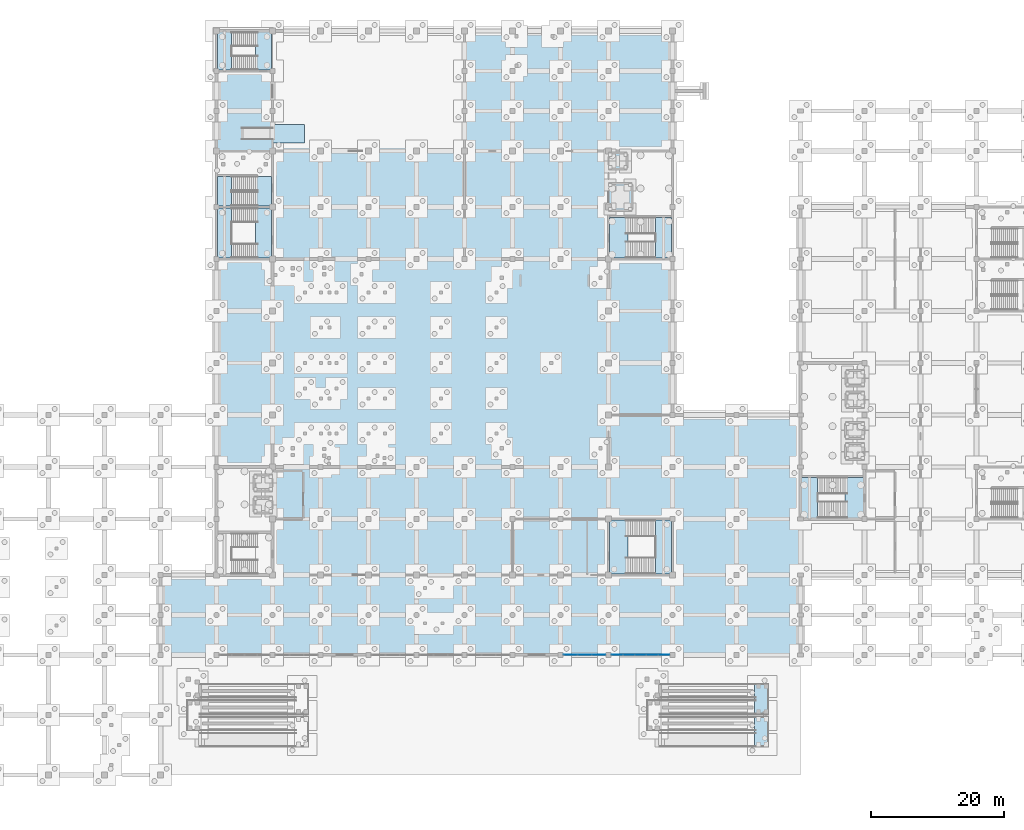
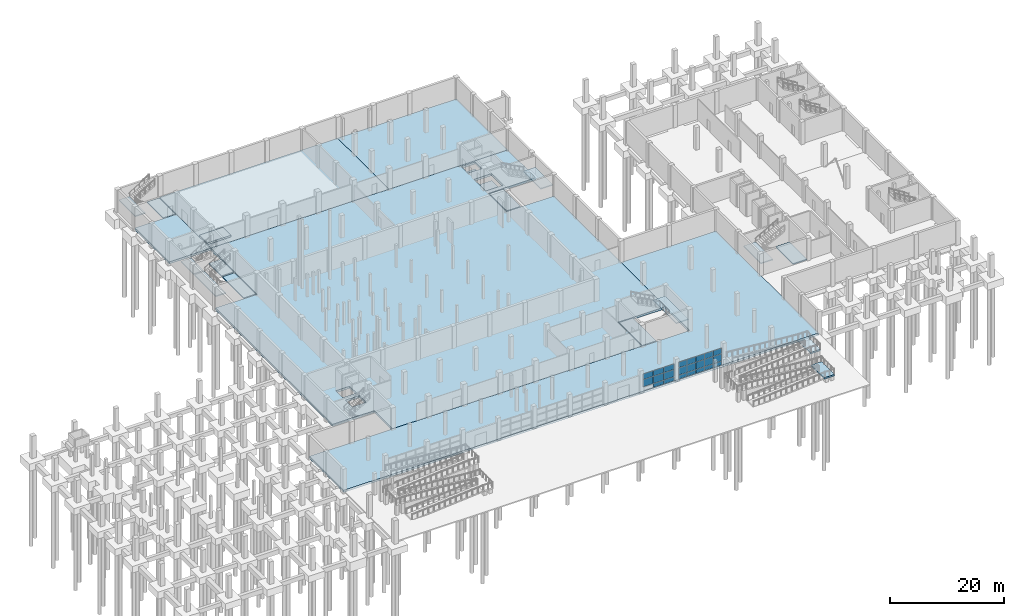
# One storey, part 27 of 42: 23 plates, 22 slabs, 9 elements without a shape of their own.
"""IFC4 building model written with IfcOpenShell, lengths in metres."""

from ifc_helpers import new_model, si_unit, direction, frame, origin, place, context, subcontext, project, spatial, polyline, outline, extrude, material, layer, layer_set, type_object, element, aggregate, save


model = new_model("IFC4")

# Units and contexts
model_context = context("Model", 3, precision=1e-05, world=origin(), true_north=direction((0.0, 1.0)))
body_context = subcontext(model_context, "Body", "Model", "MODEL_VIEW")
ifc_project = project(units=[si_unit("LENGTHUNIT", "METRE"), si_unit("AREAUNIT", "SQUARE_METRE"), si_unit("VOLUMEUNIT", "CUBIC_METRE"), si_unit("PLANEANGLEUNIT", "RADIAN"), si_unit("MASSUNIT", "GRAM", prefix="KILO")], contexts=[model_context])

# Site, building, storey
site_placement = place(None, origin())
site = spatial("IfcSite", under=ifc_project, at=site_placement, CompositionType="ELEMENT")
building_placement = place(site_placement, origin())
building = spatial("IfcBuilding", under=site, at=building_placement, Name="Pellamere Symphony Hall", CompositionType="ELEMENT")
storey_placement = place(building_placement, frame((0.0, 0.0, -4.800048828125)))
storey = spatial("IfcBuildingStorey", under=building, at=storey_placement, Name="B1", CompositionType="ELEMENT", Elevation=-4.800048828125)

# Curtain wall, plates
ifc_material_1 = material(Name="Thermally Broken Anodised Aluminium 6063-T6 Curtain Wall", Category="aluminium")
curtain_wall_type = type_object("IfcCurtainWallType", Name="Curtain Wall CW-02 (Winter-Garden South Concourse Curtain Wall)", PredefinedType="NOTDEFINED", material=ifc_material_1)
curtain_wall_1_placement = place(storey_placement, origin())
curtain_wall_1 = element("IfcCurtainWall", 1, at=curtain_wall_1_placement, inside=storey, type_object=curtain_wall_type, Name="Winter-Garden South Curtain Wall (B1 Bay 8)", PredefinedType="NOTDEFINED")
ifc_material_2 = material(Name="Triple Low-E Argon Acoustic Glazing 36mm", Category="glass")
ifc_layer_1 = layer(ifc_material_2, 0.035888671875, Name="Triple Low-E Argon Acoustic Glazing 36mm")
ifc_layer_set_1 = layer_set([ifc_layer_1], Name="Triple Low-E Argon Acoustic Glazing 36mm")
plate_type_1 = type_object("IfcPlateType", Name="Facade Panel GL-01 36mm", PredefinedType="CURTAIN_PANEL", material=ifc_layer_set_1)
plate_1_placement = place(storey_placement, frame((102.465087890625, 18.0, 0.927734375), z_axis=(0.0, -1.0, 0.0), x_axis=(1.0, 0.0, 0.0)))
plate_1 = element("IfcPlate", 2, at=plate_1_placement, type_object=plate_type_1, Name="CW2-062 crystal glass panel 1.2", PredefinedType="CURTAIN_PANEL", context=body_context, shape_type="SweptSolid", body=[
    extrude(outline(polyline([(0.0, 0.0), (2.03564453125, 0.0), (2.03564453125, 1.501708984375), (0.0, 1.501708984375), (0.0, 0.0)])), origin(), (0.0, 0.0, -1.0), 0.035888671875),
])
plate_2_placement = place(storey_placement, frame((102.465087890625, 18.0, 2.494384765625), z_axis=(0.0, -1.0, 0.0), x_axis=(1.0, 0.0, 0.0)))
plate_2 = element("IfcPlate", 3, at=plate_2_placement, type_object=plate_type_1, Name="CW2-062 crystal glass panel 1.3", PredefinedType="CURTAIN_PANEL", context=body_context, shape_type="SweptSolid", body=[
    extrude(outline(polyline([(0.0, 0.0), (2.03564453125, 0.0), (2.03564453125, 1.170654296875), (0.0, 1.170654296875), (0.0, 0.0)])), origin(), (0.0, 0.0, -1.0), 0.035888671875),
])
plate_3_placement = place(storey_placement, frame((104.56591796875, 18.0, 0.06494140625), z_axis=(0.0, -1.0, 0.0), x_axis=(1.0, 0.0, 0.0)))
plate_3 = element("IfcPlate", 4, at=plate_3_placement, type_object=plate_type_1, Name="CW2-062 crystal glass panel 2.1", PredefinedType="CURTAIN_PANEL", context=body_context, shape_type="SweptSolid", body=[
    extrude(outline(polyline([(0.0, 0.0), (2.068359375, 0.0), (2.068359375, 0.7978515625), (0.0, 0.7978515625), (0.0, 0.0)])), origin(), (0.0, 0.0, -1.0), 0.035888671875),
])
plate_4_placement = place(storey_placement, frame((104.56591796875, 18.0, 0.927734375), z_axis=(0.0, -1.0, 0.0), x_axis=(1.0, 0.0, 0.0)))
plate_4 = element("IfcPlate", 5, at=plate_4_placement, type_object=plate_type_1, Name="CW2-062 crystal glass panel 2.2", PredefinedType="CURTAIN_PANEL", context=body_context, shape_type="SweptSolid", body=[
    extrude(outline(polyline([(0.0, 0.0), (2.068359375, 0.0), (2.068359375, 1.501708984375), (0.0, 1.501708984375), (0.0, 0.0)])), origin(), (0.0, 0.0, -1.0), 0.035888671875),
])
plate_5_placement = place(storey_placement, frame((104.56591796875, 18.0, 2.494384765625), z_axis=(0.0, -1.0, 0.0), x_axis=(1.0, 0.0, 0.0)))
plate_5 = element("IfcPlate", 6, at=plate_5_placement, type_object=plate_type_1, Name="CW2-062 crystal glass panel 2.3", PredefinedType="CURTAIN_PANEL", context=body_context, shape_type="SweptSolid", body=[
    extrude(outline(polyline([(0.0, 0.0), (2.068359375, 0.0), (2.068359375, 1.170654296875), (0.0, 1.170654296875), (0.0, 0.0)])), origin(), (0.0, 0.0, -1.0), 0.035888671875),
])
plate_6_placement = place(storey_placement, frame((106.69921875, 18.0, 0.06494140625), z_axis=(0.0, -1.0, 0.0), x_axis=(1.0, 0.0, 0.0)))
plate_6 = element("IfcPlate", 7, at=plate_6_placement, type_object=plate_type_1, Name="CW2-062 crystal glass panel 3.1", PredefinedType="CURTAIN_PANEL", context=body_context, shape_type="SweptSolid", body=[
    extrude(outline(polyline([(0.0, 0.0), (2.035888671875, 0.0), (2.035888671875, 0.7978515625), (0.0, 0.7978515625), (0.0, 0.0)])), origin(), (0.0, 0.0, -1.0), 0.035888671875),
])
plate_7_placement = place(storey_placement, frame((106.69921875, 18.0, 0.927734375), z_axis=(0.0, -1.0, 0.0), x_axis=(1.0, 0.0, 0.0)))
plate_7 = element("IfcPlate", 8, at=plate_7_placement, type_object=plate_type_1, Name="CW2-062 crystal glass panel 3.2", PredefinedType="CURTAIN_PANEL", context=body_context, shape_type="SweptSolid", body=[
    extrude(outline(polyline([(0.0, 0.0), (2.035888671875, 0.0), (2.035888671875, 1.501708984375), (0.0, 1.501708984375), (0.0, 0.0)])), origin(), (0.0, 0.0, -1.0), 0.035888671875),
])
plate_8_placement = place(storey_placement, frame((106.69921875, 18.0, 2.494384765625), z_axis=(0.0, -1.0, 0.0), x_axis=(1.0, 0.0, 0.0)))
plate_8 = element("IfcPlate", 9, at=plate_8_placement, type_object=plate_type_1, Name="CW2-062 crystal glass panel 3.3", PredefinedType="CURTAIN_PANEL", context=body_context, shape_type="SweptSolid", body=[
    extrude(outline(polyline([(0.0, 0.0), (2.035888671875, 0.0), (2.035888671875, 1.170654296875), (0.0, 1.170654296875), (0.0, 0.0)])), origin(), (0.0, 0.0, -1.0), 0.035888671875),
])
aggregate(curtain_wall_1, [plate_1, plate_2, plate_3, plate_4, plate_5, plate_6, plate_7, plate_8])

curtain_wall_2_placement = place(storey_placement, origin())
curtain_wall_2 = element("IfcCurtainWall", 10, at=curtain_wall_2_placement, inside=storey, type_object=curtain_wall_type, Name="Winter-Garden South Curtain Wall (B1 Bay 9)", PredefinedType="NOTDEFINED")
ifc_material_3 = material(Name="Mineral-Wool Insulated Dark Zinc Spandrel Panel", Category="aluminium")
ifc_layer_2 = layer(ifc_material_3, 0.054931640625, Name="Mineral-Wool Insulated Dark Zinc Spandrel Panel")
ifc_layer_set_2 = layer_set([ifc_layer_2], Name="Mineral-Wool Insulated Dark Zinc Spandrel Panel")
plate_type_2 = type_object("IfcPlateType", Name="Facade Panel SP-02 55mm", PredefinedType="CURTAIN_PANEL", material=ifc_layer_set_2)
plate_9_placement = place(storey_placement, frame((109.6650390625, 18.0, 0.06494140625), z_axis=(0.0, -1.0, 0.0), x_axis=(1.0, 0.0, 0.0)))
plate_9 = element("IfcPlate", 11, at=plate_9_placement, type_object=plate_type_2, Name="CW2-063 crystal glass panel 1.1", PredefinedType="CURTAIN_PANEL", context=body_context, shape_type="SweptSolid", body=[
    extrude(outline(polyline([(0.0, 0.0), (1.662353515625, 0.0), (1.662353515625, 0.7978515625), (0.0, 0.7978515625), (0.0, 0.0)])), origin(), (0.0, 0.0, -1.0), 0.054931640625),
])
plate_10_placement = place(storey_placement, frame((109.6650390625, 18.0, 0.927734375), z_axis=(0.0, -1.0, 0.0), x_axis=(1.0, 0.0, 0.0)))
plate_10 = element("IfcPlate", 12, at=plate_10_placement, type_object=plate_type_2, Name="CW2-063 crystal glass panel 1.2", PredefinedType="CURTAIN_PANEL", context=body_context, shape_type="SweptSolid", body=[
    extrude(outline(polyline([(0.0, 0.0), (1.662353515625, 0.0), (1.662353515625, 1.501708984375), (0.0, 1.501708984375), (0.0, 0.0)])), origin(), (0.0, 0.0, -1.0), 0.054931640625),
])
plate_11_placement = place(storey_placement, frame((109.6650390625, 18.0, 2.494384765625), z_axis=(0.0, -1.0, 0.0), x_axis=(1.0, 0.0, 0.0)))
plate_11 = element("IfcPlate", 13, at=plate_11_placement, type_object=plate_type_2, Name="CW2-063 crystal glass panel 1.3", PredefinedType="CURTAIN_PANEL", context=body_context, shape_type="SweptSolid", body=[
    extrude(outline(polyline([(0.0, 0.0), (1.662353515625, 0.0), (1.662353515625, 1.170654296875), (0.0, 1.170654296875), (0.0, 0.0)])), origin(), (0.0, 0.0, -1.0), 0.054931640625),
])
plate_12_placement = place(storey_placement, frame((111.392578125, 18.0, 0.06494140625), z_axis=(0.0, -1.0, 0.0), x_axis=(1.0, 0.0, 0.0)))
plate_12 = element("IfcPlate", 14, at=plate_12_placement, type_object=plate_type_2, Name="CW2-063 crystal glass panel 2.1", PredefinedType="CURTAIN_PANEL", context=body_context, shape_type="SweptSolid", body=[
    extrude(outline(polyline([(0.0, 0.0), (1.69482421875, 0.0), (1.69482421875, 0.7978515625), (0.0, 0.7978515625), (0.0, 0.0)])), origin(), (0.0, 0.0, -1.0), 0.054931640625),
])
plate_13_placement = place(storey_placement, frame((111.392578125, 18.0, 0.927734375), z_axis=(0.0, -1.0, 0.0), x_axis=(1.0, 0.0, 0.0)))
plate_13 = element("IfcPlate", 15, at=plate_13_placement, type_object=plate_type_2, Name="CW2-063 crystal glass panel 2.2", PredefinedType="CURTAIN_PANEL", context=body_context, shape_type="SweptSolid", body=[
    extrude(outline(polyline([(0.0, 0.0), (1.69482421875, 0.0), (1.69482421875, 1.501708984375), (0.0, 1.501708984375), (0.0, 0.0)])), origin(), (0.0, 0.0, -1.0), 0.054931640625),
])
plate_14_placement = place(storey_placement, frame((111.392578125, 18.0, 2.494384765625), z_axis=(0.0, -1.0, 0.0), x_axis=(1.0, 0.0, 0.0)))
plate_14 = element("IfcPlate", 16, at=plate_14_placement, type_object=plate_type_2, Name="CW2-063 crystal glass panel 2.3", PredefinedType="CURTAIN_PANEL", context=body_context, shape_type="SweptSolid", body=[
    extrude(outline(polyline([(0.0, 0.0), (1.69482421875, 0.0), (1.69482421875, 1.170654296875), (0.0, 1.170654296875), (0.0, 0.0)])), origin(), (0.0, 0.0, -1.0), 0.054931640625),
])
plate_15_placement = place(storey_placement, frame((113.152587890625, 18.0, 0.06494140625), z_axis=(0.0, -1.0, 0.0), x_axis=(1.0, 0.0, 0.0)))
plate_15 = element("IfcPlate", 17, at=plate_15_placement, type_object=plate_type_2, Name="CW2-063 crystal glass panel 3.1", PredefinedType="CURTAIN_PANEL", context=body_context, shape_type="SweptSolid", body=[
    extrude(outline(polyline([(0.0, 0.0), (1.69482421875, 0.0), (1.69482421875, 0.7978515625), (0.0, 0.7978515625), (0.0, 0.0)])), origin(), (0.0, 0.0, -1.0), 0.054931640625),
])
plate_16_placement = place(storey_placement, frame((113.152587890625, 18.0, 0.927734375), z_axis=(0.0, -1.0, 0.0), x_axis=(1.0, 0.0, 0.0)))
plate_16 = element("IfcPlate", 18, at=plate_16_placement, type_object=plate_type_2, Name="CW2-063 crystal glass panel 3.2", PredefinedType="CURTAIN_PANEL", context=body_context, shape_type="SweptSolid", body=[
    extrude(outline(polyline([(0.0, 0.0), (1.69482421875, 0.0), (1.69482421875, 1.501708984375), (0.0, 1.501708984375), (0.0, 0.0)])), origin(), (0.0, 0.0, -1.0), 0.054931640625),
])
plate_17_placement = place(storey_placement, frame((113.152587890625, 18.0, 2.494384765625), z_axis=(0.0, -1.0, 0.0), x_axis=(1.0, 0.0, 0.0)))
plate_17 = element("IfcPlate", 19, at=plate_17_placement, type_object=plate_type_2, Name="CW2-063 crystal glass panel 3.3", PredefinedType="CURTAIN_PANEL", context=body_context, shape_type="SweptSolid", body=[
    extrude(outline(polyline([(0.0, 0.0), (1.69482421875, 0.0), (1.69482421875, 1.170654296875), (0.0, 1.170654296875), (0.0, 0.0)])), origin(), (0.0, 0.0, -1.0), 0.054931640625),
])
plate_18_placement = place(storey_placement, frame((114.91259765625, 18.0, 0.06494140625), z_axis=(0.0, -1.0, 0.0), x_axis=(1.0, 0.0, 0.0)))
plate_18 = element("IfcPlate", 20, at=plate_18_placement, type_object=plate_type_2, Name="CW2-063 crystal glass panel 4.1", PredefinedType="CURTAIN_PANEL", context=body_context, shape_type="SweptSolid", body=[
    extrude(outline(polyline([(0.0, 0.0), (1.69482421875, 0.0), (1.69482421875, 0.7978515625), (0.0, 0.7978515625), (0.0, 0.0)])), origin(), (0.0, 0.0, -1.0), 0.054931640625),
])
plate_19_placement = place(storey_placement, frame((114.91259765625, 18.0, 0.927734375), z_axis=(0.0, -1.0, 0.0), x_axis=(1.0, 0.0, 0.0)))
plate_19 = element("IfcPlate", 21, at=plate_19_placement, type_object=plate_type_2, Name="CW2-063 crystal glass panel 4.2", PredefinedType="CURTAIN_PANEL", context=body_context, shape_type="SweptSolid", body=[
    extrude(outline(polyline([(0.0, 0.0), (1.69482421875, 0.0), (1.69482421875, 1.501708984375), (0.0, 1.501708984375), (0.0, 0.0)])), origin(), (0.0, 0.0, -1.0), 0.054931640625),
])
plate_20_placement = place(storey_placement, frame((114.91259765625, 18.0, 2.494384765625), z_axis=(0.0, -1.0, 0.0), x_axis=(1.0, 0.0, 0.0)))
plate_20 = element("IfcPlate", 22, at=plate_20_placement, type_object=plate_type_2, Name="CW2-063 crystal glass panel 4.3", PredefinedType="CURTAIN_PANEL", context=body_context, shape_type="SweptSolid", body=[
    extrude(outline(polyline([(0.0, 0.0), (1.69482421875, 0.0), (1.69482421875, 1.170654296875), (0.0, 1.170654296875), (0.0, 0.0)])), origin(), (0.0, 0.0, -1.0), 0.054931640625),
])
plate_21_placement = place(storey_placement, frame((116.672607421875, 18.0, 0.06494140625), z_axis=(0.0, -1.0, 0.0), x_axis=(1.0, 0.0, 0.0)))
plate_21 = element("IfcPlate", 23, at=plate_21_placement, type_object=plate_type_2, Name="CW2-063 crystal glass panel 5.1", PredefinedType="CURTAIN_PANEL", context=body_context, shape_type="SweptSolid", body=[
    extrude(outline(polyline([(0.0, 0.0), (1.662353515625, 0.0), (1.662353515625, 0.7978515625), (0.0, 0.7978515625), (0.0, 0.0)])), origin(), (0.0, 0.0, -1.0), 0.054931640625),
])
plate_22_placement = place(storey_placement, frame((116.672607421875, 18.0, 0.927734375), z_axis=(0.0, -1.0, 0.0), x_axis=(1.0, 0.0, 0.0)))
plate_22 = element("IfcPlate", 24, at=plate_22_placement, type_object=plate_type_2, Name="CW2-063 crystal glass panel 5.2", PredefinedType="CURTAIN_PANEL", context=body_context, shape_type="SweptSolid", body=[
    extrude(outline(polyline([(0.0, 0.0), (1.662353515625, 0.0), (1.662353515625, 1.501708984375), (0.0, 1.501708984375), (0.0, 0.0)])), origin(), (0.0, 0.0, -1.0), 0.054931640625),
])
plate_23_placement = place(storey_placement, frame((116.672607421875, 18.0, 2.494384765625), z_axis=(0.0, -1.0, 0.0), x_axis=(1.0, 0.0, 0.0)))
plate_23 = element("IfcPlate", 25, at=plate_23_placement, type_object=plate_type_2, Name="CW2-063 crystal glass panel 5.3", PredefinedType="CURTAIN_PANEL", context=body_context, shape_type="SweptSolid", body=[
    extrude(outline(polyline([(0.0, 0.0), (1.662353515625, 0.0), (1.662353515625, 1.170654296875), (0.0, 1.170654296875), (0.0, 0.0)])), origin(), (0.0, 0.0, -1.0), 0.054931640625),
])
aggregate(curtain_wall_2, [plate_9, plate_10, plate_11, plate_12, plate_13, plate_14, plate_15, plate_16, plate_17, plate_18, plate_19, plate_20, plate_21, plate_22, plate_23])

# Stair, slabs
ifc_material_4 = material(Name="Concrete 40 MPa", Category="concrete")
stair_type_1 = type_object("IfcStairType", Name="Stair ST-A W2400", PredefinedType="HALF_TURN_STAIR", material=ifc_material_4)
stair_1_placement = place(storey_placement, origin())
stair_1 = element("IfcStair", 26, at=stair_1_placement, inside=storey, type_object=stair_type_1, Name="Exit Stair ST02-B1 (B1 to L00)", PredefinedType="HALF_TURN_STAIR")
ifc_layer_3 = layer(ifc_material_4, 0.219970703125, Name="Concrete 40 MPa")
ifc_layer_set_3 = layer_set([ifc_layer_3], Name="Concrete 40 MPa")
slab_type_1 = type_object("IfcSlabType", Name="Stair Landing SL-01 220mm", PredefinedType="LANDING", material=ifc_layer_set_3)
slab_1_placement = place(storey_placement, frame((0.0, 0.0, -0.219970703125)))
slab_1 = element("IfcSlab", 27, at=slab_1_placement, type_object=slab_type_1, Name="Stair ST02-B1 Bottom Landing (B1)", PredefinedType="LANDING", context=body_context, shape_type="SweptSolid", body=[
    extrude(outline(polyline([(144.675048828125, 38.56005859375), (147.43994140625, 38.56005859375), (147.43994140625, 44.639892578125), (144.675048828125, 44.639892578125), (144.675048828125, 38.56005859375)])), origin(), (0.0, 0.0, 1.0), 0.219970703125),
])
slab_2_placement = place(storey_placement, frame((0.0, 0.0, 2.179931640625)))
slab_2 = element("IfcSlab", 28, at=slab_2_placement, type_object=slab_type_1, Name="Stair ST02-B1 Half Landing (B1)", PredefinedType="LANDING", context=body_context, shape_type="SweptSolid", body=[
    extrude(outline(polyline([(138.159912109375, 38.56005859375), (140.574951171875, 38.56005859375), (140.574951171875, 44.639892578125), (138.159912109375, 44.639892578125), (138.159912109375, 38.56005859375)])), origin(), (0.0, 0.0, 1.0), 0.22021484375),
])
aggregate(stair_1, [slab_1, slab_2])

stair_2_placement = place(storey_placement, origin())
stair_2 = element("IfcStair", 29, at=stair_2_placement, inside=storey, type_object=stair_type_1, Name="Exit Stair ST04-B1 (B1 to L00)", PredefinedType="HALF_TURN_STAIR")
slab_3_placement = place(storey_placement, frame((0.0, 0.0, -0.219970703125)))
slab_3 = element("IfcSlab", 30, at=slab_3_placement, type_object=slab_type_1, Name="Stair ST04-B1 Bottom Landing (B1)", PredefinedType="LANDING", context=body_context, shape_type="SweptSolid", body=[
    extrude(outline(polyline([(109.360107421875, 77.56005859375), (112.125, 77.56005859375), (112.125, 83.639892578125), (109.360107421875, 83.639892578125), (109.360107421875, 77.56005859375)])), origin(), (0.0, 0.0, 1.0), 0.219970703125),
])
slab_4_placement = place(storey_placement, frame((0.0, 0.0, 2.179931640625)))
slab_4 = element("IfcSlab", 31, at=slab_4_placement, type_object=slab_type_1, Name="Stair ST04-B1 Half Landing (B1)", PredefinedType="LANDING", context=body_context, shape_type="SweptSolid", body=[
    extrude(outline(polyline([(116.22509765625, 77.56005859375), (118.639892578125, 77.56005859375), (118.639892578125, 83.639892578125), (116.22509765625, 83.639892578125), (116.22509765625, 77.56005859375)])), origin(), (0.0, 0.0, 1.0), 0.22021484375),
])
aggregate(stair_2, [slab_3, slab_4])

stair_type_2 = type_object("IfcStairType", Name="Stair ST-B W2050", PredefinedType="HALF_TURN_STAIR", material=ifc_material_4)
stair_3_placement = place(storey_placement, origin())
stair_3 = element("IfcStair", 32, at=stair_3_placement, inside=storey, type_object=stair_type_2, Name="Exit Stair ST07-B1 (B1 to L00)", PredefinedType="HALF_TURN_STAIR")
slab_5_placement = place(storey_placement, frame((0.0, 0.0, -0.219970703125)))
slab_5 = element("IfcSlab", 33, at=slab_5_placement, type_object=slab_type_1, Name="Stair ST07-B1 Bottom Landing (B1)", PredefinedType="LANDING", context=body_context, shape_type="SweptSolid", body=[
    extrude(outline(polyline([(56.22509765625, 77.56005859375), (58.639892578125, 77.56005859375), (58.639892578125, 85.0400390625), (56.22509765625, 85.0400390625), (56.22509765625, 77.56005859375)])), origin(), (0.0, 0.0, 1.0), 0.219970703125),
])
slab_6_placement = place(storey_placement, frame((0.0, 0.0, 2.179931640625)))
slab_6 = element("IfcSlab", 34, at=slab_6_placement, type_object=slab_type_1, Name="Stair ST07-B1 Half Landing (B1)", PredefinedType="LANDING", context=body_context, shape_type="SweptSolid", body=[
    extrude(outline(polyline([(50.56005859375, 77.56005859375), (52.625, 77.56005859375), (52.625, 85.0400390625), (50.56005859375, 85.0400390625), (50.56005859375, 77.56005859375)])), origin(), (0.0, 0.0, 1.0), 0.22021484375),
])
aggregate(stair_3, [slab_5, slab_6])

stair_4_placement = place(storey_placement, origin())
stair_4 = element("IfcStair", 35, at=stair_4_placement, inside=storey, type_object=stair_type_1, Name="Exit Stair ST08-B1 (B1 to L00)", PredefinedType="HALF_TURN_STAIR")
slab_7_placement = place(storey_placement, frame((0.0, 0.0, -0.219970703125)))
slab_7 = element("IfcSlab", 36, at=slab_7_placement, type_object=slab_type_1, Name="Stair ST08-B1 Bottom Landing (B1)", PredefinedType="LANDING", context=body_context, shape_type="SweptSolid", body=[
    extrude(outline(polyline([(109.360107421875, 30.159912109375), (112.125, 30.159912109375), (112.125, 38.239990234375), (109.360107421875, 38.239990234375), (109.360107421875, 30.159912109375)])), origin(), (0.0, 0.0, 1.0), 0.219970703125),
])
slab_8_placement = place(storey_placement, frame((0.0, 0.0, 2.179931640625)))
slab_8 = element("IfcSlab", 37, at=slab_8_placement, type_object=slab_type_1, Name="Stair ST08-B1 Half Landing (B1)", PredefinedType="LANDING", context=body_context, shape_type="SweptSolid", body=[
    extrude(outline(polyline([(116.22509765625, 30.159912109375), (118.639892578125, 30.159912109375), (118.639892578125, 38.239990234375), (116.22509765625, 38.239990234375), (116.22509765625, 30.159912109375)])), origin(), (0.0, 0.0, 1.0), 0.22021484375),
])
aggregate(stair_4, [slab_7, slab_8])

stair_5_placement = place(storey_placement, origin())
stair_5 = element("IfcStair", 38, at=stair_5_placement, inside=storey, type_object=stair_type_2, Name="Exit Stair ST10-B1 (B1 to L00)", PredefinedType="HALF_TURN_STAIR")
slab_9_placement = place(storey_placement, frame((0.0, 0.0, -0.219970703125)))
slab_9 = element("IfcSlab", 39, at=slab_9_placement, type_object=slab_type_1, Name="Stair ST10-B1 Bottom Landing (B1)", PredefinedType="LANDING", context=body_context, shape_type="SweptSolid", body=[
    extrude(outline(polyline([(56.22509765625, 105.760009765625), (58.639892578125, 105.760009765625), (58.639892578125, 111.43994140625), (56.22509765625, 111.43994140625), (56.22509765625, 105.760009765625)])), origin(), (0.0, 0.0, 1.0), 0.219970703125),
])
slab_10_placement = place(storey_placement, frame((0.0, 0.0, 2.179931640625)))
slab_10 = element("IfcSlab", 40, at=slab_10_placement, type_object=slab_type_1, Name="Stair ST10-B1 Half Landing (B1)", PredefinedType="LANDING", context=body_context, shape_type="SweptSolid", body=[
    extrude(outline(polyline([(50.56005859375, 105.760009765625), (52.625, 105.760009765625), (52.625, 111.43994140625), (50.56005859375, 111.43994140625), (50.56005859375, 105.760009765625)])), origin(), (0.0, 0.0, 1.0), 0.22021484375),
])
aggregate(stair_5, [slab_9, slab_10])

stair_6_placement = place(storey_placement, origin())
stair_6 = element("IfcStair", 41, at=stair_6_placement, inside=storey, type_object=stair_type_2, Name="Exit Stair ST13-B1 (B1 to L00)", PredefinedType="HALF_TURN_STAIR")
slab_11_placement = place(storey_placement, frame((0.0, 0.0, -0.219970703125)))
slab_11 = element("IfcSlab", 42, at=slab_11_placement, type_object=slab_type_1, Name="Stair ST13-B1 Bottom Landing (B1)", PredefinedType="LANDING", context=body_context, shape_type="SweptSolid", body=[
    extrude(outline(polyline([(56.22509765625, 85.360107421875), (58.639892578125, 85.360107421875), (58.639892578125, 89.800048828125), (56.22509765625, 89.800048828125), (56.22509765625, 85.360107421875)])), origin(), (0.0, 0.0, 1.0), 0.219970703125),
])
slab_12_placement = place(storey_placement, frame((0.0, 0.0, 2.179931640625)))
slab_12 = element("IfcSlab", 43, at=slab_12_placement, type_object=slab_type_1, Name="Stair ST13-B1 Half Landing (B1)", PredefinedType="LANDING", context=body_context, shape_type="SweptSolid", body=[
    extrude(outline(polyline([(50.56005859375, 85.360107421875), (52.625, 85.360107421875), (52.625, 89.800048828125), (50.56005859375, 89.800048828125), (50.56005859375, 85.360107421875)])), origin(), (0.0, 0.0, 1.0), 0.22021484375),
])
aggregate(stair_6, [slab_11, slab_12])

# Slabs
ifc_layer_4 = layer(ifc_material_4, 0.449951171875, Name="Concrete 40 MPa")
ifc_layer_set_4 = layer_set([ifc_layer_4], Name="Concrete 40 MPa")
slab_type_2 = type_object("IfcSlabType", Name="Structural Slab BS-01 450mm", PredefinedType="BASESLAB", material=ifc_layer_set_4)
slab_13_placement = place(storey_placement, frame((0.0, 0.0, -0.449951171875)))
element("IfcSlab", 44, at=slab_13_placement, inside=storey, type_object=slab_type_2, Name="Floor Slab B1-V4-1", PredefinedType="BASESLAB", context=body_context, shape_type="SweptSolid", body=[
    extrude(outline(polyline([(42.0, 18.0), (42.0, 30.0), (50.39990234375, 30.0), (58.800048828125, 30.0), (109.199951171875, 30.0), (118.800048828125, 30.0), (118.800048828125, 38.39990234375), (118.800048828125, 54.0), (138.0, 54.0), (138.0, 44.800048828125), (138.0, 38.39990234375), (138.0, 30.0), (138.0, 18.0), (42.0, 18.0)])), origin(), (0.0, 0.0, 1.0), 0.449951171875),
])
slab_14_placement = place(storey_placement, frame((0.0, 0.0, -0.449951171875)))
element("IfcSlab", 45, at=slab_14_placement, inside=storey, type_object=slab_type_2, Name="Floor Slab B1-V1-1", PredefinedType="BASESLAB", context=body_context, shape_type="SweptSolid", body=[
    extrude(outline(polyline([(118.800048828125, 38.39990234375), (109.199951171875, 38.39990234375), (109.199951171875, 30.0), (58.800048828125, 30.0), (58.800048828125, 36.39990234375), (50.39990234375, 36.39990234375), (50.39990234375, 77.39990234375), (58.800048828125, 77.39990234375), (58.800048828125, 85.199951171875), (58.800048828125, 93.60009765625), (118.800048828125, 93.60009765625), (118.800048828125, 83.800048828125), (109.199951171875, 83.800048828125), (109.199951171875, 77.39990234375), (118.800048828125, 77.39990234375), (118.800048828125, 38.39990234375)]), holes=[polyline([(58.800048828125, 41.675048828125), (56.0, 41.675048828125), (56.0, 39.324951171875), (58.800048828125, 39.324951171875), (58.800048828125, 41.675048828125)]), polyline([(58.800048828125, 44.97509765625), (56.0, 44.97509765625), (56.0, 42.625), (58.800048828125, 42.625), (58.800048828125, 44.97509765625)]), polyline([(112.699951171875, 88.75), (109.199951171875, 88.75), (109.199951171875, 84.64990234375), (112.699951171875, 84.64990234375), (112.699951171875, 88.75)]), polyline([(112.0, 90.925048828125), (112.0, 93.27490234375), (109.199951171875, 93.27490234375), (109.199951171875, 90.925048828125), (112.0, 90.925048828125)])]), origin(), (0.0, 0.0, 1.0), 0.449951171875),
])
slab_15_placement = place(storey_placement, frame((0.0, 0.0, -0.449951171875)))
element("IfcSlab", 46, at=slab_15_placement, inside=storey, type_object=slab_type_2, Name="Floor Slab B1-V3A-1", PredefinedType="BASESLAB", context=body_context, shape_type="SweptSolid", body=[
    extrude(outline(polyline([(58.800048828125, 93.60009765625), (50.39990234375, 93.60009765625), (50.39990234375, 105.60009765625), (58.800048828125, 105.60009765625), (58.800048828125, 93.60009765625)])), origin(), (0.0, 0.0, 1.0), 0.449951171875),
])
slab_16_placement = place(storey_placement, frame((0.0, 0.0, -0.449951171875)))
element("IfcSlab", 47, at=slab_16_placement, inside=storey, type_object=slab_type_2, Name="Floor Slab B1-V3B-1", PredefinedType="BASESLAB", context=body_context, shape_type="SweptSolid", body=[
    extrude(outline(polyline([(94.800048828125, 93.60009765625), (94.800048828125, 111.60009765625), (118.800048828125, 111.60009765625), (118.800048828125, 93.60009765625), (94.800048828125, 93.60009765625)])), origin(), (0.0, 0.0, 1.0), 0.449951171875),
])
ifc_layer_5 = layer(ifc_material_4, 0.3798828125, Name="Concrete 40 MPa")
ifc_layer_set_5 = layer_set([ifc_layer_5], Name="Concrete 40 MPa")
slab_type_3 = type_object("IfcSlabType", Name="Structural Slab BS-02 380mm", PredefinedType="BASESLAB", material=ifc_layer_set_5)
slab_17_placement = place(storey_placement, frame((0.0, 0.0, -0.3798828125)))
element("IfcSlab", 48, at=slab_17_placement, inside=storey, type_object=slab_type_3, Name="Floor Slab B1-V3S-1", PredefinedType="BASESLAB", context=body_context, shape_type="SweptSolid", body=[
    extrude(outline(polyline([(94.800048828125, 111.60009765625), (94.800048828125, 93.60009765625), (58.800048828125, 93.60009765625), (58.800048828125, 105.60009765625), (58.800048828125, 111.60009765625), (94.800048828125, 111.60009765625)])), origin(), (0.0, 0.0, 1.0), 0.3798828125),
])
slab_18_placement = place(storey_placement, origin())
element("IfcSlab", 49, at=slab_18_placement, inside=storey, type_object=slab_type_3, Name="Recording Studio Threshold Plinth Slab", PredefinedType="BASESLAB", context=body_context, shape_type="SweptSolid", body=[
    extrude(outline(polyline([(63.60009765625, 94.800048828125), (63.60009765625, 97.60009765625), (58.800048828125, 97.60009765625), (58.800048828125, 94.800048828125), (63.60009765625, 94.800048828125)])), origin(), (0.0, 0.0, 1.0), 0.380126953125),
])
slab_19_placement = place(storey_placement, frame((0.0, 0.0, -1.97998046875)))
element("IfcSlab", 50, at=slab_19_placement, inside=storey, type_object=slab_type_3, Name="Elevator GL1 Pit Base Slab", PredefinedType="BASESLAB", context=body_context, shape_type="SweptSolid", body=[
    extrude(outline(polyline([(109.080078125, 84.530029296875), (112.820068359375, 84.530029296875), (112.820068359375, 88.8701171875), (109.080078125, 88.8701171875), (109.080078125, 84.530029296875)])), origin(), (0.0, 0.0, 1.0), 0.380126953125),
])
slab_20_placement = place(storey_placement, frame((0.0, 0.0, -1.97998046875)))
element("IfcSlab", 51, at=slab_20_placement, inside=storey, type_object=slab_type_3, Name="Elevator PL6 Pit Base Slab", PredefinedType="BASESLAB", context=body_context, shape_type="SweptSolid", body=[
    extrude(outline(polyline([(109.080078125, 90.804931640625), (112.1201171875, 90.804931640625), (112.1201171875, 93.39501953125), (109.080078125, 93.39501953125), (109.080078125, 90.804931640625)])), origin(), (0.0, 0.0, 1.0), 0.380126953125),
])

# Ramp, slabs
ifc_layer_6 = layer(ifc_material_4, 0.25, Name="Concrete 40 MPa")
ifc_layer_set_6 = layer_set([ifc_layer_6], Name="Concrete 40 MPa")
ramp_type = type_object("IfcRampType", Name="Ramp RM-01 W2100", PredefinedType="HALF_TURN_RAMP", material=ifc_layer_set_6)
ramp_placement = place(storey_placement, origin())
ramp = element("IfcRamp", 52, at=ramp_placement, inside=storey, type_object=ramp_type, Name="Accessible Ramp RMP-02", PredefinedType="HALF_TURN_RAMP")
ifc_layer_7 = layer(ifc_material_4, 0.300048828125, Name="Concrete 40 MPa")
ifc_layer_set_7 = layer_set([ifc_layer_7], Name="Concrete 40 MPa")
slab_type_4 = type_object("IfcSlabType", Name="Structural Slab FS-02 300mm", PredefinedType="FLOOR", material=ifc_layer_set_7)
slab_21_placement = place(storey_placement, frame((0.0, 0.0, 0.900146484375)))
slab_21 = element("IfcSlab", 53, at=slab_21_placement, type_object=slab_type_4, Name="Ramp RMP-02 Level Turn Landing 1", PredefinedType="FLOOR", context=body_context, shape_type="SweptSolid", body=[
    extrude(outline(polyline([(131.1201171875, 4.199951171875), (133.199951171875, 4.199951171875), (133.199951171875, 8.75), (131.1201171875, 8.75), (131.1201171875, 4.199951171875)])), origin(), (0.0, 0.0, 1.0), 0.2998046875),
])
slab_22_placement = place(storey_placement, frame((0.0, 0.0, 3.300048828125)))
slab_22 = element("IfcSlab", 54, at=slab_22_placement, type_object=slab_type_4, Name="Ramp RMP-02 Level Turn Landing 3", PredefinedType="FLOOR", context=body_context, shape_type="SweptSolid", body=[
    extrude(outline(polyline([(131.1201171875, 9.10009765625), (133.199951171875, 9.10009765625), (133.199951171875, 13.64990234375), (131.1201171875, 13.64990234375), (131.1201171875, 9.10009765625)])), origin(), (0.0, 0.0, 1.0), 0.300048828125),
])
aggregate(ramp, [slab_21, slab_22])

save(model, "model.ifc")
